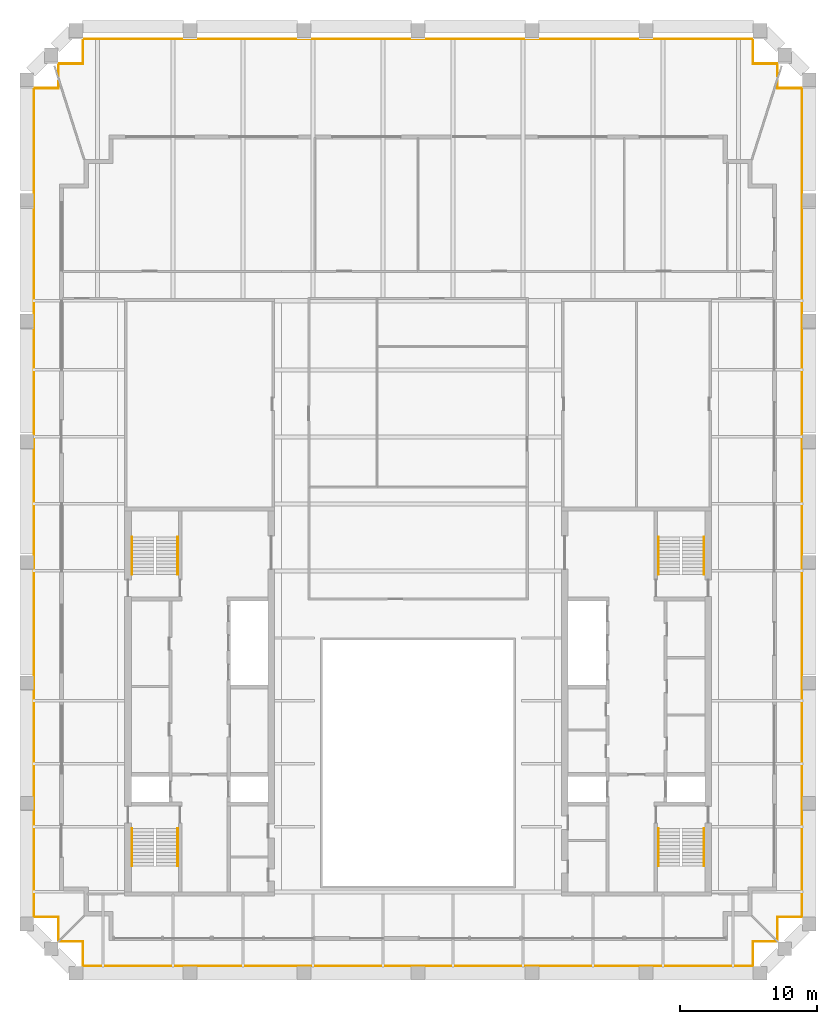
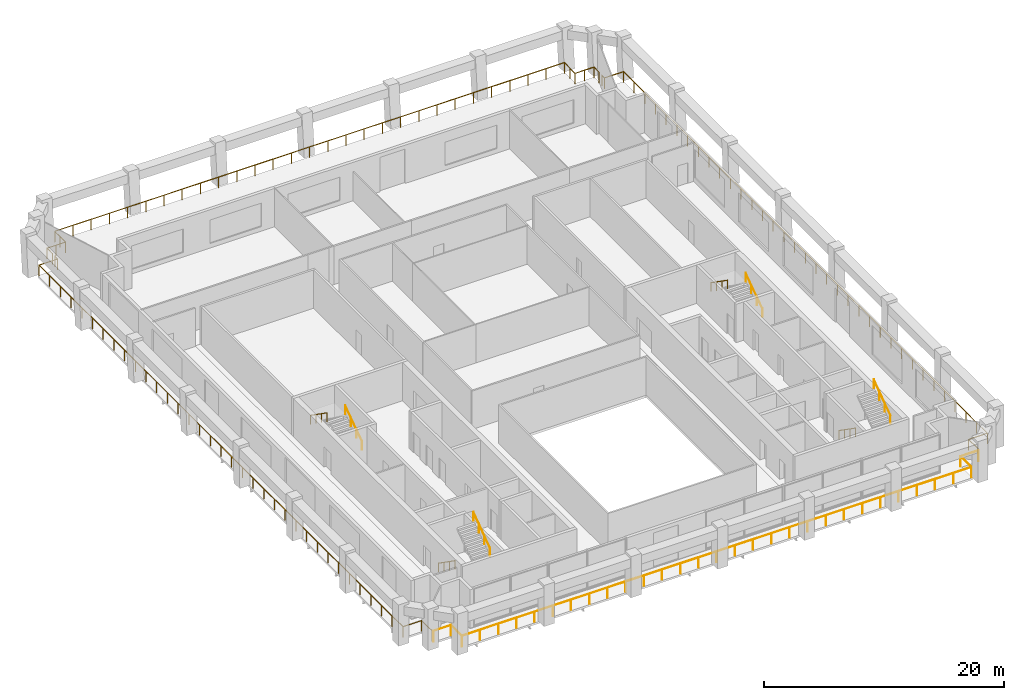
# One storey, part 10 of 10: 12 railings.
"""IFC4 building model written with IfcOpenShell, lengths in metres."""

from ifc_helpers import new_model, si_unit, direction, frame, origin, origin_2d, place, context, subcontext, project, spatial, circle, extrude, material, type_object, element, save


model = new_model("IFC4")

# Units and contexts
model_context = context("Model", 3, precision=1e-05, world=origin(), true_north=direction((0.0, 1.0)))
body_context = subcontext(model_context, "Body", "Model", "MODEL_VIEW")
ifc_project = project(units=[si_unit("LENGTHUNIT", "METRE"), si_unit("AREAUNIT", "SQUARE_METRE"), si_unit("VOLUMEUNIT", "CUBIC_METRE"), si_unit("PLANEANGLEUNIT", "RADIAN"), si_unit("MASSUNIT", "GRAM", prefix="KILO")], contexts=[model_context])

# Site, building, storey
site_placement = place(None, origin())
site = spatial("IfcSite", under=ifc_project, at=site_placement, CompositionType="ELEMENT")
building_placement = place(site_placement, origin())
building = spatial("IfcBuilding", under=site, at=building_placement, Name="Ogive Exchange Tower", CompositionType="ELEMENT")
storey_placement = place(building_placement, frame((0.0, 0.0, 359.39990234375)))
storey = spatial("IfcBuildingStorey", under=building, at=storey_placement, Name="L79", CompositionType="ELEMENT", Elevation=359.39990234375)

# Railings
ifc_material_1 = material(Name="Stainless steel 316", Category="steel")
railing_type_1 = type_object("IfcRailingType", Name="Guard 1100 stainless steel and glass", PredefinedType="GUARDRAIL", material=ifc_material_1)
railing_1_placement = place(storey_placement, frame((26.238037109375, -6.080078125, -0.0498046875)))
element("IfcRailing", 1, at=railing_1_placement, inside=storey, type_object=railing_type_1, Name="Loggia guard 1", PredefinedType="GUARDRAIL", context=body_context, shape_type="SweptSolid", body=[
    extrude(circle(Radius=0.02392578125, at=origin_2d()), frame((0.0, 0.0, 1.076171875), z_axis=(-1.0, 0.0, 0.0), x_axis=(0.0, -1.0, 0.0)), (0.0, 0.0, 1.0), 1.7080078125),
    extrude(circle(Radius=0.02392578125, at=origin_2d()), frame((-1.7080078125, 0.0, 1.076171875), z_axis=(0.0, -1.0, 0.0), x_axis=(1.0, 0.0, 0.0)), (0.0, 0.0, 1.0), 1.7998046875),
    extrude(circle(Radius=0.02392578125, at=origin_2d()), frame((-1.7080078125, -1.7998046875, 1.076171875), z_axis=(-1.0, 0.0, 0.0), x_axis=(0.0, -1.0, 0.0)), (0.0, 0.0, 1.0), 49.06005859375),
    extrude(circle(Radius=0.02392578125, at=origin_2d()), frame((-50.76806640625, -1.7998046875, 1.076171875), z_axis=(0.0, 1.0, 0.0), x_axis=(-1.0, 0.0, 0.0)), (0.0, 0.0, 1.0), 1.7998046875),
    extrude(circle(Radius=0.02392578125, at=origin_2d()), frame((-50.76806640625, 0.0, 1.076171875), z_axis=(-1.0, 0.0, 0.0), x_axis=(0.0, -1.0, 0.0)), (0.0, 0.0, 1.0), 1.7080078125),
    extrude(circle(Radius=0.02099609375, at=origin_2d()), origin(), (0.0, 0.0, 1.0), 1.052001953125),
    extrude(circle(Radius=0.02099609375, at=origin_2d()), frame((-1.7080078125, 0.0, 0.0)), (0.0, 0.0, 1.0), 1.052001953125),
    extrude(circle(Radius=0.02099609375, at=origin_2d()), frame((-1.7080078125, -1.7998046875, 0.0)), (0.0, 0.0, 1.0), 1.052001953125),
    extrude(circle(Radius=0.02099609375, at=origin_2d()), frame((-3.460205078125, -1.7998046875, 0.0)), (0.0, 0.0, 1.0), 1.052001953125),
    extrude(circle(Radius=0.02099609375, at=origin_2d()), frame((-5.21240234375, -1.7998046875, 0.0)), (0.0, 0.0, 1.0), 1.052001953125),
    extrude(circle(Radius=0.02099609375, at=origin_2d()), frame((-6.96435546875, -1.7998046875, 0.0)), (0.0, 0.0, 1.0), 1.052001953125),
    extrude(circle(Radius=0.02099609375, at=origin_2d()), frame((-8.716552734375, -1.7998046875, 0.0)), (0.0, 0.0, 1.0), 1.052001953125),
    extrude(circle(Radius=0.02099609375, at=origin_2d()), frame((-10.46875, -1.7998046875, 0.0)), (0.0, 0.0, 1.0), 1.052001953125),
    extrude(circle(Radius=0.02099609375, at=origin_2d()), frame((-12.220947265625, -1.7998046875, 0.0)), (0.0, 0.0, 1.0), 1.052001953125),
    extrude(circle(Radius=0.02099609375, at=origin_2d()), frame((-13.97314453125, -1.7998046875, 0.0)), (0.0, 0.0, 1.0), 1.052001953125),
    extrude(circle(Radius=0.02099609375, at=origin_2d()), frame((-15.72509765625, -1.7998046875, 0.0)), (0.0, 0.0, 1.0), 1.052001953125),
    extrude(circle(Radius=0.02099609375, at=origin_2d()), frame((-17.477294921875, -1.7998046875, 0.0)), (0.0, 0.0, 1.0), 1.052001953125),
    extrude(circle(Radius=0.02099609375, at=origin_2d()), frame((-19.2294921875, -1.7998046875, 0.0)), (0.0, 0.0, 1.0), 1.052001953125),
    extrude(circle(Radius=0.02099609375, at=origin_2d()), frame((-20.981689453125, -1.7998046875, 0.0)), (0.0, 0.0, 1.0), 1.052001953125),
    extrude(circle(Radius=0.02099609375, at=origin_2d()), frame((-22.733642578125, -1.7998046875, 0.0)), (0.0, 0.0, 1.0), 1.052001953125),
    extrude(circle(Radius=0.02099609375, at=origin_2d()), frame((-24.48583984375, -1.7998046875, 0.0)), (0.0, 0.0, 1.0), 1.052001953125),
    extrude(circle(Radius=0.02099609375, at=origin_2d()), frame((-26.238037109375, -1.7998046875, 0.0)), (0.0, 0.0, 1.0), 1.052001953125),
    extrude(circle(Radius=0.02099609375, at=origin_2d()), frame((-27.990234375, -1.7998046875, 0.0)), (0.0, 0.0, 1.0), 1.052001953125),
    extrude(circle(Radius=0.02099609375, at=origin_2d()), frame((-29.742431640625, -1.7998046875, 0.0)), (0.0, 0.0, 1.0), 1.052001953125),
    extrude(circle(Radius=0.02099609375, at=origin_2d()), frame((-31.494384765625, -1.7998046875, 0.0)), (0.0, 0.0, 1.0), 1.052001953125),
    extrude(circle(Radius=0.02099609375, at=origin_2d()), frame((-33.24658203125, -1.7998046875, 0.0)), (0.0, 0.0, 1.0), 1.052001953125),
    extrude(circle(Radius=0.02099609375, at=origin_2d()), frame((-34.998779296875, -1.7998046875, 0.0)), (0.0, 0.0, 1.0), 1.052001953125),
    extrude(circle(Radius=0.02099609375, at=origin_2d()), frame((-36.7509765625, -1.7998046875, 0.0)), (0.0, 0.0, 1.0), 1.052001953125),
    extrude(circle(Radius=0.02099609375, at=origin_2d()), frame((-38.5029296875, -1.7998046875, 0.0)), (0.0, 0.0, 1.0), 1.052001953125),
    extrude(circle(Radius=0.02099609375, at=origin_2d()), frame((-40.255126953125, -1.7998046875, 0.0)), (0.0, 0.0, 1.0), 1.052001953125),
    extrude(circle(Radius=0.02099609375, at=origin_2d()), frame((-42.00732421875, -1.7998046875, 0.0)), (0.0, 0.0, 1.0), 1.052001953125),
    extrude(circle(Radius=0.02099609375, at=origin_2d()), frame((-43.759521484375, -1.7998046875, 0.0)), (0.0, 0.0, 1.0), 1.052001953125),
    extrude(circle(Radius=0.02099609375, at=origin_2d()), frame((-45.51171875, -1.7998046875, 0.0)), (0.0, 0.0, 1.0), 1.052001953125),
    extrude(circle(Radius=0.02099609375, at=origin_2d()), frame((-47.263671875, -1.7998046875, 0.0)), (0.0, 0.0, 1.0), 1.052001953125),
    extrude(circle(Radius=0.02099609375, at=origin_2d()), frame((-49.015869140625, -1.7998046875, 0.0)), (0.0, 0.0, 1.0), 1.052001953125),
    extrude(circle(Radius=0.02099609375, at=origin_2d()), frame((-50.76806640625, -1.7998046875, 0.0)), (0.0, 0.0, 1.0), 1.052001953125),
    extrude(circle(Radius=0.02099609375, at=origin_2d()), frame((-50.76806640625, 0.0, 0.0)), (0.0, 0.0, 1.0), 1.052001953125),
    extrude(circle(Radius=0.02099609375, at=origin_2d()), frame((-52.47607421875, 0.0, 0.0)), (0.0, 0.0, 1.0), 1.052001953125),
])
railing_2_placement = place(storey_placement, frame((-26.330078125, -5.988037109375, -0.0498046875)))
element("IfcRailing", 2, at=railing_2_placement, inside=storey, type_object=railing_type_1, Name="Loggia guard 2", PredefinedType="GUARDRAIL", context=body_context, shape_type="SweptSolid", body=[
    extrude(circle(Radius=0.02392578125, at=origin_2d()), frame((0.0, 0.0, 1.076171875), z_axis=(0.0, 1.0, 0.0), x_axis=(-1.0, 0.0, 0.0)), (0.0, 0.0, 1.0), 1.7080078125),
    extrude(circle(Radius=0.02392578125, at=origin_2d()), frame((0.0, 1.7080078125, 1.076171875), z_axis=(-1.0, 0.0, 0.0), x_axis=(0.0, -1.0, 0.0)), (0.0, 0.0, 1.0), 1.7998046875),
    extrude(circle(Radius=0.02392578125, at=origin_2d()), frame((-1.7998046875, 1.7080078125, 1.076171875), z_axis=(0.0, 1.0, 0.0), x_axis=(-1.0, 0.0, 0.0)), (0.0, 0.0, 1.0), 60.687255859375),
    extrude(circle(Radius=0.02392578125, at=origin_2d()), frame((-1.7998046875, 62.395263671875, 1.076171875), z_axis=(1.0, 0.0, 0.0), x_axis=(0.0, 1.0, 0.0)), (0.0, 0.0, 1.0), 1.7998046875),
    extrude(circle(Radius=0.02392578125, at=origin_2d()), frame((0.0, 62.395263671875, 1.076171875), z_axis=(0.0, 1.0, 0.0), x_axis=(-1.0, 0.0, 0.0)), (0.0, 0.0, 1.0), 0.47509765625),
    extrude(circle(Radius=0.02099609375, at=origin_2d()), origin(), (0.0, 0.0, 1.0), 1.052001953125),
    extrude(circle(Radius=0.02099609375, at=origin_2d()), frame((0.0, 1.7080078125, 0.0)), (0.0, 0.0, 1.0), 1.052001953125),
    extrude(circle(Radius=0.02099609375, at=origin_2d()), frame((-1.7998046875, 1.7080078125, 0.0)), (0.0, 0.0, 1.0), 1.052001953125),
    extrude(circle(Radius=0.02099609375, at=origin_2d()), frame((-1.7998046875, 3.492919921875, 0.0)), (0.0, 0.0, 1.0), 1.052001953125),
    extrude(circle(Radius=0.02099609375, at=origin_2d()), frame((-1.7998046875, 5.27783203125, 0.0)), (0.0, 0.0, 1.0), 1.052001953125),
    extrude(circle(Radius=0.02099609375, at=origin_2d()), frame((-1.7998046875, 7.062744140625, 0.0)), (0.0, 0.0, 1.0), 1.052001953125),
    extrude(circle(Radius=0.02099609375, at=origin_2d()), frame((-1.7998046875, 8.84765625, 0.0)), (0.0, 0.0, 1.0), 1.052001953125),
    extrude(circle(Radius=0.02099609375, at=origin_2d()), frame((-1.7998046875, 10.632568359375, 0.0)), (0.0, 0.0, 1.0), 1.052001953125),
    extrude(circle(Radius=0.02099609375, at=origin_2d()), frame((-1.7998046875, 12.41748046875, 0.0)), (0.0, 0.0, 1.0), 1.052001953125),
    extrude(circle(Radius=0.02099609375, at=origin_2d()), frame((-1.7998046875, 14.202392578125, 0.0)), (0.0, 0.0, 1.0), 1.052001953125),
    extrude(circle(Radius=0.02099609375, at=origin_2d()), frame((-1.7998046875, 15.9873046875, 0.0)), (0.0, 0.0, 1.0), 1.052001953125),
    extrude(circle(Radius=0.02099609375, at=origin_2d()), frame((-1.7998046875, 17.772216796875, 0.0)), (0.0, 0.0, 1.0), 1.052001953125),
    extrude(circle(Radius=0.02099609375, at=origin_2d()), frame((-1.7998046875, 19.55712890625, 0.0)), (0.0, 0.0, 1.0), 1.052001953125),
    extrude(circle(Radius=0.02099609375, at=origin_2d()), frame((-1.7998046875, 21.342041015625, 0.0)), (0.0, 0.0, 1.0), 1.052001953125),
    extrude(circle(Radius=0.02099609375, at=origin_2d()), frame((-1.7998046875, 23.126953125, 0.0)), (0.0, 0.0, 1.0), 1.052001953125),
    extrude(circle(Radius=0.02099609375, at=origin_2d()), frame((-1.7998046875, 24.911865234375, 0.0)), (0.0, 0.0, 1.0), 1.052001953125),
    extrude(circle(Radius=0.02099609375, at=origin_2d()), frame((-1.7998046875, 26.69677734375, 0.0)), (0.0, 0.0, 1.0), 1.052001953125),
    extrude(circle(Radius=0.02099609375, at=origin_2d()), frame((-1.7998046875, 28.481689453125, 0.0)), (0.0, 0.0, 1.0), 1.052001953125),
    extrude(circle(Radius=0.02099609375, at=origin_2d()), frame((-1.7998046875, 30.2666015625, 0.0)), (0.0, 0.0, 1.0), 1.052001953125),
    extrude(circle(Radius=0.02099609375, at=origin_2d()), frame((-1.7998046875, 32.0517578125, 0.0)), (0.0, 0.0, 1.0), 1.052001953125),
    extrude(circle(Radius=0.02099609375, at=origin_2d()), frame((-1.7998046875, 33.836669921875, 0.0)), (0.0, 0.0, 1.0), 1.052001953125),
    extrude(circle(Radius=0.02099609375, at=origin_2d()), frame((-1.7998046875, 35.62158203125, 0.0)), (0.0, 0.0, 1.0), 1.052001953125),
    extrude(circle(Radius=0.02099609375, at=origin_2d()), frame((-1.7998046875, 37.406494140625, 0.0)), (0.0, 0.0, 1.0), 1.052001953125),
    extrude(circle(Radius=0.02099609375, at=origin_2d()), frame((-1.7998046875, 39.19140625, 0.0)), (0.0, 0.0, 1.0), 1.052001953125),
    extrude(circle(Radius=0.02099609375, at=origin_2d()), frame((-1.7998046875, 40.976318359375, 0.0)), (0.0, 0.0, 1.0), 1.052001953125),
    extrude(circle(Radius=0.02099609375, at=origin_2d()), frame((-1.7998046875, 42.76123046875, 0.0)), (0.0, 0.0, 1.0), 1.052001953125),
    extrude(circle(Radius=0.02099609375, at=origin_2d()), frame((-1.7998046875, 44.546142578125, 0.0)), (0.0, 0.0, 1.0), 1.052001953125),
    extrude(circle(Radius=0.02099609375, at=origin_2d()), frame((-1.7998046875, 46.3310546875, 0.0)), (0.0, 0.0, 1.0), 1.052001953125),
    extrude(circle(Radius=0.02099609375, at=origin_2d()), frame((-1.7998046875, 48.115966796875, 0.0)), (0.0, 0.0, 1.0), 1.052001953125),
    extrude(circle(Radius=0.02099609375, at=origin_2d()), frame((-1.7998046875, 49.90087890625, 0.0)), (0.0, 0.0, 1.0), 1.052001953125),
    extrude(circle(Radius=0.02099609375, at=origin_2d()), frame((-1.7998046875, 51.685791015625, 0.0)), (0.0, 0.0, 1.0), 1.052001953125),
    extrude(circle(Radius=0.02099609375, at=origin_2d()), frame((-1.7998046875, 53.470703125, 0.0)), (0.0, 0.0, 1.0), 1.052001953125),
    extrude(circle(Radius=0.02099609375, at=origin_2d()), frame((-1.7998046875, 55.255615234375, 0.0)), (0.0, 0.0, 1.0), 1.052001953125),
    extrude(circle(Radius=0.02099609375, at=origin_2d()), frame((-1.7998046875, 57.04052734375, 0.0)), (0.0, 0.0, 1.0), 1.052001953125),
    extrude(circle(Radius=0.02099609375, at=origin_2d()), frame((-1.7998046875, 58.825439453125, 0.0)), (0.0, 0.0, 1.0), 1.052001953125),
    extrude(circle(Radius=0.02099609375, at=origin_2d()), frame((-1.7998046875, 60.6103515625, 0.0)), (0.0, 0.0, 1.0), 1.052001953125),
    extrude(circle(Radius=0.02099609375, at=origin_2d()), frame((-1.7998046875, 62.395263671875, 0.0)), (0.0, 0.0, 1.0), 1.052001953125),
    extrude(circle(Radius=0.02099609375, at=origin_2d()), frame((0.0, 62.395263671875, 0.0)), (0.0, 0.0, 1.0), 1.052001953125),
    extrude(circle(Radius=0.02099609375, at=origin_2d()), frame((0.0, 62.870361328125, 0.0)), (0.0, 0.0, 1.0), 1.052001953125),
])
railing_3_placement = place(storey_placement, frame((-26.330078125, 57.310302734375, -0.0498046875)))
element("IfcRailing", 3, at=railing_3_placement, inside=storey, type_object=railing_type_1, Name="Loggia guard 3", PredefinedType="GUARDRAIL", context=body_context, shape_type="SweptSolid", body=[
    extrude(circle(Radius=0.02392578125, at=origin_2d()), frame((0.0, 0.0, 1.076171875), z_axis=(0.0, 1.0, 0.0), x_axis=(-1.0, 0.0, 0.0)), (0.0, 0.0, 1.0), 0.89697265625),
    extrude(circle(Radius=0.02392578125, at=origin_2d()), frame((0.0, 0.89697265625, 1.076171875), z_axis=(1.0, 0.0, 0.0), x_axis=(0.0, 1.0, 0.0)), (0.0, 0.0, 1.0), 1.800048828125),
    extrude(circle(Radius=0.02392578125, at=origin_2d()), frame((1.800048828125, 0.89697265625, 1.076171875), z_axis=(0.0, 1.0, 0.0), x_axis=(-1.0, 0.0, 0.0)), (0.0, 0.0, 1.0), 1.800048828125),
    extrude(circle(Radius=0.02392578125, at=origin_2d()), frame((1.800048828125, 2.697021484375, 1.076171875), z_axis=(1.0, 0.0, 0.0), x_axis=(0.0, 1.0, 0.0)), (0.0, 0.0, 1.0), 49.06005859375),
    extrude(circle(Radius=0.02392578125, at=origin_2d()), frame((50.860107421875, 2.697021484375, 1.076171875), z_axis=(0.0, -1.0, 0.0), x_axis=(1.0, 0.0, 0.0)), (0.0, 0.0, 1.0), 1.800048828125),
    extrude(circle(Radius=0.02392578125, at=origin_2d()), frame((50.860107421875, 0.89697265625, 1.076171875), z_axis=(1.0, 0.0, 0.0), x_axis=(0.0, 1.0, 0.0)), (0.0, 0.0, 1.0), 1.800048828125),
    extrude(circle(Radius=0.02392578125, at=origin_2d()), frame((52.66015625, 0.89697265625, 1.076171875), z_axis=(0.0, -1.0, 0.0), x_axis=(1.0, 0.0, 0.0)), (0.0, 0.0, 1.0), 0.89697265625),
    extrude(circle(Radius=0.02099609375, at=origin_2d()), origin(), (0.0, 0.0, 1.0), 1.052001953125),
    extrude(circle(Radius=0.02099609375, at=origin_2d()), frame((0.0, 0.89697265625, 0.0)), (0.0, 0.0, 1.0), 1.052001953125),
    extrude(circle(Radius=0.02099609375, at=origin_2d()), frame((0.89990234375, 0.89697265625, 0.0)), (0.0, 0.0, 1.0), 1.052001953125),
    extrude(circle(Radius=0.02099609375, at=origin_2d()), frame((1.800048828125, 0.89697265625, 0.0)), (0.0, 0.0, 1.0), 1.052001953125),
    extrude(circle(Radius=0.02099609375, at=origin_2d()), frame((1.800048828125, 1.796875, 0.0)), (0.0, 0.0, 1.0), 1.052001953125),
    extrude(circle(Radius=0.02099609375, at=origin_2d()), frame((1.800048828125, 2.697021484375, 0.0)), (0.0, 0.0, 1.0), 1.052001953125),
    extrude(circle(Radius=0.02099609375, at=origin_2d()), frame((3.55224609375, 2.697021484375, 0.0)), (0.0, 0.0, 1.0), 1.052001953125),
    extrude(circle(Radius=0.02099609375, at=origin_2d()), frame((5.304443359375, 2.697021484375, 0.0)), (0.0, 0.0, 1.0), 1.052001953125),
    extrude(circle(Radius=0.02099609375, at=origin_2d()), frame((7.056396484375, 2.697021484375, 0.0)), (0.0, 0.0, 1.0), 1.052001953125),
    extrude(circle(Radius=0.02099609375, at=origin_2d()), frame((8.80859375, 2.697021484375, 0.0)), (0.0, 0.0, 1.0), 1.052001953125),
    extrude(circle(Radius=0.02099609375, at=origin_2d()), frame((10.560791015625, 2.697021484375, 0.0)), (0.0, 0.0, 1.0), 1.052001953125),
    extrude(circle(Radius=0.02099609375, at=origin_2d()), frame((12.31298828125, 2.697021484375, 0.0)), (0.0, 0.0, 1.0), 1.052001953125),
    extrude(circle(Radius=0.02099609375, at=origin_2d()), frame((14.06494140625, 2.697021484375, 0.0)), (0.0, 0.0, 1.0), 1.052001953125),
    extrude(circle(Radius=0.02099609375, at=origin_2d()), frame((15.817138671875, 2.697021484375, 0.0)), (0.0, 0.0, 1.0), 1.052001953125),
    extrude(circle(Radius=0.02099609375, at=origin_2d()), frame((17.5693359375, 2.697021484375, 0.0)), (0.0, 0.0, 1.0), 1.052001953125),
    extrude(circle(Radius=0.02099609375, at=origin_2d()), frame((19.321533203125, 2.697021484375, 0.0)), (0.0, 0.0, 1.0), 1.052001953125),
    extrude(circle(Radius=0.02099609375, at=origin_2d()), frame((21.07373046875, 2.697021484375, 0.0)), (0.0, 0.0, 1.0), 1.052001953125),
    extrude(circle(Radius=0.02099609375, at=origin_2d()), frame((22.82568359375, 2.697021484375, 0.0)), (0.0, 0.0, 1.0), 1.052001953125),
    extrude(circle(Radius=0.02099609375, at=origin_2d()), frame((24.577880859375, 2.697021484375, 0.0)), (0.0, 0.0, 1.0), 1.052001953125),
    extrude(circle(Radius=0.02099609375, at=origin_2d()), frame((26.330078125, 2.697021484375, 0.0)), (0.0, 0.0, 1.0), 1.052001953125),
    extrude(circle(Radius=0.02099609375, at=origin_2d()), frame((28.082275390625, 2.697021484375, 0.0)), (0.0, 0.0, 1.0), 1.052001953125),
    extrude(circle(Radius=0.02099609375, at=origin_2d()), frame((29.83447265625, 2.697021484375, 0.0)), (0.0, 0.0, 1.0), 1.052001953125),
    extrude(circle(Radius=0.02099609375, at=origin_2d()), frame((31.58642578125, 2.697021484375, 0.0)), (0.0, 0.0, 1.0), 1.052001953125),
    extrude(circle(Radius=0.02099609375, at=origin_2d()), frame((33.338623046875, 2.697021484375, 0.0)), (0.0, 0.0, 1.0), 1.052001953125),
    extrude(circle(Radius=0.02099609375, at=origin_2d()), frame((35.0908203125, 2.697021484375, 0.0)), (0.0, 0.0, 1.0), 1.052001953125),
    extrude(circle(Radius=0.02099609375, at=origin_2d()), frame((36.843017578125, 2.697021484375, 0.0)), (0.0, 0.0, 1.0), 1.052001953125),
    extrude(circle(Radius=0.02099609375, at=origin_2d()), frame((38.59521484375, 2.697021484375, 0.0)), (0.0, 0.0, 1.0), 1.052001953125),
    extrude(circle(Radius=0.02099609375, at=origin_2d()), frame((40.34716796875, 2.697021484375, 0.0)), (0.0, 0.0, 1.0), 1.052001953125),
    extrude(circle(Radius=0.02099609375, at=origin_2d()), frame((42.099365234375, 2.697021484375, 0.0)), (0.0, 0.0, 1.0), 1.052001953125),
    extrude(circle(Radius=0.02099609375, at=origin_2d()), frame((43.8515625, 2.697021484375, 0.0)), (0.0, 0.0, 1.0), 1.052001953125),
    extrude(circle(Radius=0.02099609375, at=origin_2d()), frame((45.603759765625, 2.697021484375, 0.0)), (0.0, 0.0, 1.0), 1.052001953125),
    extrude(circle(Radius=0.02099609375, at=origin_2d()), frame((47.355712890625, 2.697021484375, 0.0)), (0.0, 0.0, 1.0), 1.052001953125),
    extrude(circle(Radius=0.02099609375, at=origin_2d()), frame((49.10791015625, 2.697021484375, 0.0)), (0.0, 0.0, 1.0), 1.052001953125),
    extrude(circle(Radius=0.02099609375, at=origin_2d()), frame((50.860107421875, 2.697021484375, 0.0)), (0.0, 0.0, 1.0), 1.052001953125),
    extrude(circle(Radius=0.02099609375, at=origin_2d()), frame((50.860107421875, 1.796875, 0.0)), (0.0, 0.0, 1.0), 1.052001953125),
    extrude(circle(Radius=0.02099609375, at=origin_2d()), frame((50.860107421875, 0.89697265625, 0.0)), (0.0, 0.0, 1.0), 1.052001953125),
    extrude(circle(Radius=0.02099609375, at=origin_2d()), frame((51.76025390625, 0.89697265625, 0.0)), (0.0, 0.0, 1.0), 1.052001953125),
    extrude(circle(Radius=0.02099609375, at=origin_2d()), frame((52.66015625, 0.89697265625, 0.0)), (0.0, 0.0, 1.0), 1.052001953125),
    extrude(circle(Radius=0.02099609375, at=origin_2d()), frame((52.66015625, 0.0, 0.0)), (0.0, 0.0, 1.0), 1.052001953125),
])
railing_4_placement = place(storey_placement, frame((26.330078125, 56.88232421875, -0.0498046875)))
element("IfcRailing", 4, at=railing_4_placement, inside=storey, type_object=railing_type_1, Name="Loggia guard 4", PredefinedType="GUARDRAIL", context=body_context, shape_type="SweptSolid", body=[
    extrude(circle(Radius=0.02392578125, at=origin_2d()), frame((0.0, 0.0, 1.076171875), z_axis=(0.0, -1.0, 0.0), x_axis=(1.0, 0.0, 0.0)), (0.0, 0.0, 1.0), 0.47509765625),
    extrude(circle(Radius=0.02392578125, at=origin_2d()), frame((0.0, -0.47509765625, 1.076171875), z_axis=(1.0, 0.0, 0.0), x_axis=(0.0, 1.0, 0.0)), (0.0, 0.0, 1.0), 1.7998046875),
    extrude(circle(Radius=0.02392578125, at=origin_2d()), frame((1.7998046875, -0.47509765625, 1.076171875), z_axis=(0.0, -1.0, 0.0), x_axis=(1.0, 0.0, 0.0)), (0.0, 0.0, 1.0), 60.687255859375),
    extrude(circle(Radius=0.02392578125, at=origin_2d()), frame((1.7998046875, -61.162353515625, 1.076171875), z_axis=(-1.0, 0.0, 0.0), x_axis=(0.0, -1.0, 0.0)), (0.0, 0.0, 1.0), 1.7998046875),
    extrude(circle(Radius=0.02392578125, at=origin_2d()), frame((0.0, -61.162353515625, 1.076171875), z_axis=(0.0, -1.0, 0.0), x_axis=(1.0, 0.0, 0.0)), (0.0, 0.0, 1.0), 1.7080078125),
    extrude(circle(Radius=0.02099609375, at=origin_2d()), origin(), (0.0, 0.0, 1.0), 1.052001953125),
    extrude(circle(Radius=0.02099609375, at=origin_2d()), frame((0.0, -0.47509765625, 0.0)), (0.0, 0.0, 1.0), 1.052001953125),
    extrude(circle(Radius=0.02099609375, at=origin_2d()), frame((1.7998046875, -0.47509765625, 0.0)), (0.0, 0.0, 1.0), 1.052001953125),
    extrude(circle(Radius=0.02099609375, at=origin_2d()), frame((1.7998046875, -2.260009765625, 0.0)), (0.0, 0.0, 1.0), 1.052001953125),
    extrude(circle(Radius=0.02099609375, at=origin_2d()), frame((1.7998046875, -4.044921875, 0.0)), (0.0, 0.0, 1.0), 1.052001953125),
    extrude(circle(Radius=0.02099609375, at=origin_2d()), frame((1.7998046875, -5.829833984375, 0.0)), (0.0, 0.0, 1.0), 1.052001953125),
    extrude(circle(Radius=0.02099609375, at=origin_2d()), frame((1.7998046875, -7.61474609375, 0.0)), (0.0, 0.0, 1.0), 1.052001953125),
    extrude(circle(Radius=0.02099609375, at=origin_2d()), frame((1.7998046875, -9.399658203125, 0.0)), (0.0, 0.0, 1.0), 1.052001953125),
    extrude(circle(Radius=0.02099609375, at=origin_2d()), frame((1.7998046875, -11.1845703125, 0.0)), (0.0, 0.0, 1.0), 1.052001953125),
    extrude(circle(Radius=0.02099609375, at=origin_2d()), frame((1.7998046875, -12.969482421875, 0.0)), (0.0, 0.0, 1.0), 1.052001953125),
    extrude(circle(Radius=0.02099609375, at=origin_2d()), frame((1.7998046875, -14.75439453125, 0.0)), (0.0, 0.0, 1.0), 1.052001953125),
    extrude(circle(Radius=0.02099609375, at=origin_2d()), frame((1.7998046875, -16.539306640625, 0.0)), (0.0, 0.0, 1.0), 1.052001953125),
    extrude(circle(Radius=0.02099609375, at=origin_2d()), frame((1.7998046875, -18.32421875, 0.0)), (0.0, 0.0, 1.0), 1.052001953125),
    extrude(circle(Radius=0.02099609375, at=origin_2d()), frame((1.7998046875, -20.109130859375, 0.0)), (0.0, 0.0, 1.0), 1.052001953125),
    extrude(circle(Radius=0.02099609375, at=origin_2d()), frame((1.7998046875, -21.89404296875, 0.0)), (0.0, 0.0, 1.0), 1.052001953125),
    extrude(circle(Radius=0.02099609375, at=origin_2d()), frame((1.7998046875, -23.678955078125, 0.0)), (0.0, 0.0, 1.0), 1.052001953125),
    extrude(circle(Radius=0.02099609375, at=origin_2d()), frame((1.7998046875, -25.4638671875, 0.0)), (0.0, 0.0, 1.0), 1.052001953125),
    extrude(circle(Radius=0.02099609375, at=origin_2d()), frame((1.7998046875, -27.248779296875, 0.0)), (0.0, 0.0, 1.0), 1.052001953125),
    extrude(circle(Radius=0.02099609375, at=origin_2d()), frame((1.7998046875, -29.03369140625, 0.0)), (0.0, 0.0, 1.0), 1.052001953125),
    extrude(circle(Radius=0.02099609375, at=origin_2d()), frame((1.7998046875, -30.81884765625, 0.0)), (0.0, 0.0, 1.0), 1.052001953125),
    extrude(circle(Radius=0.02099609375, at=origin_2d()), frame((1.7998046875, -32.603759765625, 0.0)), (0.0, 0.0, 1.0), 1.052001953125),
    extrude(circle(Radius=0.02099609375, at=origin_2d()), frame((1.7998046875, -34.388671875, 0.0)), (0.0, 0.0, 1.0), 1.052001953125),
    extrude(circle(Radius=0.02099609375, at=origin_2d()), frame((1.7998046875, -36.173583984375, 0.0)), (0.0, 0.0, 1.0), 1.052001953125),
    extrude(circle(Radius=0.02099609375, at=origin_2d()), frame((1.7998046875, -37.95849609375, 0.0)), (0.0, 0.0, 1.0), 1.052001953125),
    extrude(circle(Radius=0.02099609375, at=origin_2d()), frame((1.7998046875, -39.743408203125, 0.0)), (0.0, 0.0, 1.0), 1.052001953125),
    extrude(circle(Radius=0.02099609375, at=origin_2d()), frame((1.7998046875, -41.5283203125, 0.0)), (0.0, 0.0, 1.0), 1.052001953125),
    extrude(circle(Radius=0.02099609375, at=origin_2d()), frame((1.7998046875, -43.313232421875, 0.0)), (0.0, 0.0, 1.0), 1.052001953125),
    extrude(circle(Radius=0.02099609375, at=origin_2d()), frame((1.7998046875, -45.09814453125, 0.0)), (0.0, 0.0, 1.0), 1.052001953125),
    extrude(circle(Radius=0.02099609375, at=origin_2d()), frame((1.7998046875, -46.883056640625, 0.0)), (0.0, 0.0, 1.0), 1.052001953125),
    extrude(circle(Radius=0.02099609375, at=origin_2d()), frame((1.7998046875, -48.66796875, 0.0)), (0.0, 0.0, 1.0), 1.052001953125),
    extrude(circle(Radius=0.02099609375, at=origin_2d()), frame((1.7998046875, -50.452880859375, 0.0)), (0.0, 0.0, 1.0), 1.052001953125),
    extrude(circle(Radius=0.02099609375, at=origin_2d()), frame((1.7998046875, -52.23779296875, 0.0)), (0.0, 0.0, 1.0), 1.052001953125),
    extrude(circle(Radius=0.02099609375, at=origin_2d()), frame((1.7998046875, -54.022705078125, 0.0)), (0.0, 0.0, 1.0), 1.052001953125),
    extrude(circle(Radius=0.02099609375, at=origin_2d()), frame((1.7998046875, -55.8076171875, 0.0)), (0.0, 0.0, 1.0), 1.052001953125),
    extrude(circle(Radius=0.02099609375, at=origin_2d()), frame((1.7998046875, -57.592529296875, 0.0)), (0.0, 0.0, 1.0), 1.052001953125),
    extrude(circle(Radius=0.02099609375, at=origin_2d()), frame((1.7998046875, -59.37744140625, 0.0)), (0.0, 0.0, 1.0), 1.052001953125),
    extrude(circle(Radius=0.02099609375, at=origin_2d()), frame((1.7998046875, -61.162353515625, 0.0)), (0.0, 0.0, 1.0), 1.052001953125),
    extrude(circle(Radius=0.02099609375, at=origin_2d()), frame((0.0, -61.162353515625, 0.0)), (0.0, 0.0, 1.0), 1.052001953125),
    extrude(circle(Radius=0.02099609375, at=origin_2d()), frame((0.0, -62.870361328125, 0.0)), (0.0, 0.0, 1.0), 1.052001953125),
])
ifc_material_2 = material(Name="Stainless steel", Category="steel")
railing_type_2 = type_object("IfcRailingType", Name="Stair handrail 900", PredefinedType="HANDRAIL", material=ifc_material_2)
railing_5_placement = place(storey_placement, frame((-20.949951171875, 2.199951171875, 0.175048828125)))
element("IfcRailing", 5, at=railing_5_placement, inside=storey, type_object=railing_type_2, Name="L79 ST1 stair handrail 1", PredefinedType="HANDRAIL", context=body_context, shape_type="SweptSolid", body=[
    extrude(circle(Radius=0.02392578125, at=origin_2d()), frame((0.0, 0.0, 0.8759765625), z_axis=(0.0, -0.819225086817, 0.573472106672), x_axis=(1.0, 0.0, 0.0)), (0.0, 0.0, 1.0), 3.35693359375),
    extrude(circle(Radius=0.02099609375, at=origin_2d()), origin(), (0.0, 0.0, 1.0), 0.851806640625),
    extrude(circle(Radius=0.02099609375, at=origin_2d()), frame((0.0, -0.916748046875, 0.6416015625)), (0.0, 0.0, 1.0), 0.851806640625),
    extrude(circle(Radius=0.02099609375, at=origin_2d()), frame((0.0, -1.833251953125, 1.283447265625)), (0.0, 0.0, 1.0), 0.851806640625),
    extrude(circle(Radius=0.02099609375, at=origin_2d()), frame((0.0, -2.75, 1.925048828125)), (0.0, 0.0, 1.0), 0.851806640625),
])
for number, where, name in (
    (6, (-17.60009765625, -0.550048828125, 2.275146484375), "L79 ST1 stair handrail 2"),
    (7, (-17.60009765625, 20.800048828125, 0.175048828125), "L79 ST2 stair handrail 1"),
):
    element("IfcRailing", number, at=place(storey_placement, frame(where)), inside=storey, type_object=railing_type_2, Name=name, PredefinedType="HANDRAIL", context=body_context, shape_type="SweptSolid", body=[
        extrude(circle(Radius=0.02392578125, at=origin_2d()), frame((0.0, 0.0, 0.8759765625), z_axis=(0.0, 0.819225086817, 0.573472106672), x_axis=(-1.0, 0.0, 0.0)), (0.0, 0.0, 1.0), 3.35693359375),
        extrude(circle(Radius=0.02099609375, at=origin_2d()), origin(), (0.0, 0.0, 1.0), 0.851806640625),
        extrude(circle(Radius=0.02099609375, at=origin_2d()), frame((0.0, 0.916748046875, 0.6416015625)), (0.0, 0.0, 1.0), 0.851806640625),
        extrude(circle(Radius=0.02099609375, at=origin_2d()), frame((0.0, 1.833251953125, 1.283447265625)), (0.0, 0.0, 1.0), 0.851806640625),
        extrude(circle(Radius=0.02099609375, at=origin_2d()), frame((0.0, 2.75, 1.925048828125)), (0.0, 0.0, 1.0), 0.851806640625),
    ])
for number, where, name in (
    (8, (-20.949951171875, 23.550048828125, 2.275146484375), "L79 ST2 stair handrail 2"),
    (9, (17.60009765625, 2.199951171875, 0.175048828125), "L79 ST3 stair handrail 1"),
):
    element("IfcRailing", number, at=place(storey_placement, frame(where)), inside=storey, type_object=railing_type_2, Name=name, PredefinedType="HANDRAIL", context=body_context, shape_type="SweptSolid", body=[
        extrude(circle(Radius=0.02392578125, at=origin_2d()), frame((0.0, 0.0, 0.8759765625), z_axis=(0.0, -0.819225086817, 0.573472106672), x_axis=(1.0, 0.0, 0.0)), (0.0, 0.0, 1.0), 3.35693359375),
        extrude(circle(Radius=0.02099609375, at=origin_2d()), origin(), (0.0, 0.0, 1.0), 0.851806640625),
        extrude(circle(Radius=0.02099609375, at=origin_2d()), frame((0.0, -0.916748046875, 0.6416015625)), (0.0, 0.0, 1.0), 0.851806640625),
        extrude(circle(Radius=0.02099609375, at=origin_2d()), frame((0.0, -1.833251953125, 1.283447265625)), (0.0, 0.0, 1.0), 0.851806640625),
        extrude(circle(Radius=0.02099609375, at=origin_2d()), frame((0.0, -2.75, 1.925048828125)), (0.0, 0.0, 1.0), 0.851806640625),
    ])
for number, where, name in (
    (10, (20.949951171875, -0.550048828125, 2.275146484375), "L79 ST3 stair handrail 2"),
    (11, (20.949951171875, 20.800048828125, 0.175048828125), "L79 ST4 stair handrail 1"),
):
    element("IfcRailing", number, at=place(storey_placement, frame(where)), inside=storey, type_object=railing_type_2, Name=name, PredefinedType="HANDRAIL", context=body_context, shape_type="SweptSolid", body=[
        extrude(circle(Radius=0.02392578125, at=origin_2d()), frame((0.0, 0.0, 0.8759765625), z_axis=(0.0, 0.819225086817, 0.573472106672), x_axis=(-1.0, 0.0, 0.0)), (0.0, 0.0, 1.0), 3.35693359375),
        extrude(circle(Radius=0.02099609375, at=origin_2d()), origin(), (0.0, 0.0, 1.0), 0.851806640625),
        extrude(circle(Radius=0.02099609375, at=origin_2d()), frame((0.0, 0.916748046875, 0.6416015625)), (0.0, 0.0, 1.0), 0.851806640625),
        extrude(circle(Radius=0.02099609375, at=origin_2d()), frame((0.0, 1.833251953125, 1.283447265625)), (0.0, 0.0, 1.0), 0.851806640625),
        extrude(circle(Radius=0.02099609375, at=origin_2d()), frame((0.0, 2.75, 1.925048828125)), (0.0, 0.0, 1.0), 0.851806640625),
    ])
railing_6_placement = place(storey_placement, frame((17.60009765625, 23.550048828125, 2.275146484375)))
element("IfcRailing", 12, at=railing_6_placement, inside=storey, type_object=railing_type_2, Name="L79 ST4 stair handrail 2", PredefinedType="HANDRAIL", context=body_context, shape_type="SweptSolid", body=[
    extrude(circle(Radius=0.02392578125, at=origin_2d()), frame((0.0, 0.0, 0.8759765625), z_axis=(0.0, -0.819225086817, 0.573472106672), x_axis=(1.0, 0.0, 0.0)), (0.0, 0.0, 1.0), 3.35693359375),
    extrude(circle(Radius=0.02099609375, at=origin_2d()), origin(), (0.0, 0.0, 1.0), 0.851806640625),
    extrude(circle(Radius=0.02099609375, at=origin_2d()), frame((0.0, -0.916748046875, 0.6416015625)), (0.0, 0.0, 1.0), 0.851806640625),
    extrude(circle(Radius=0.02099609375, at=origin_2d()), frame((0.0, -1.833251953125, 1.283447265625)), (0.0, 0.0, 1.0), 0.851806640625),
    extrude(circle(Radius=0.02099609375, at=origin_2d()), frame((0.0, -2.75, 1.925048828125)), (0.0, 0.0, 1.0), 0.851806640625),
])

save(model, "model.ifc")
